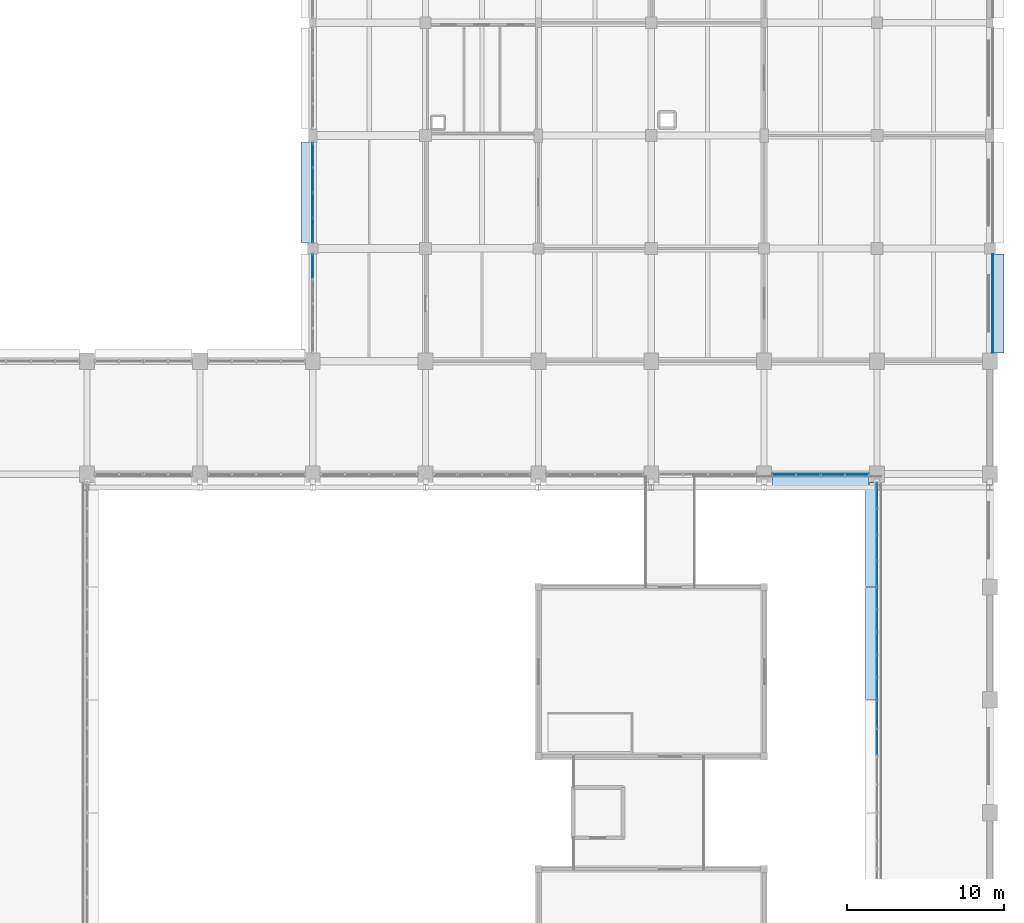
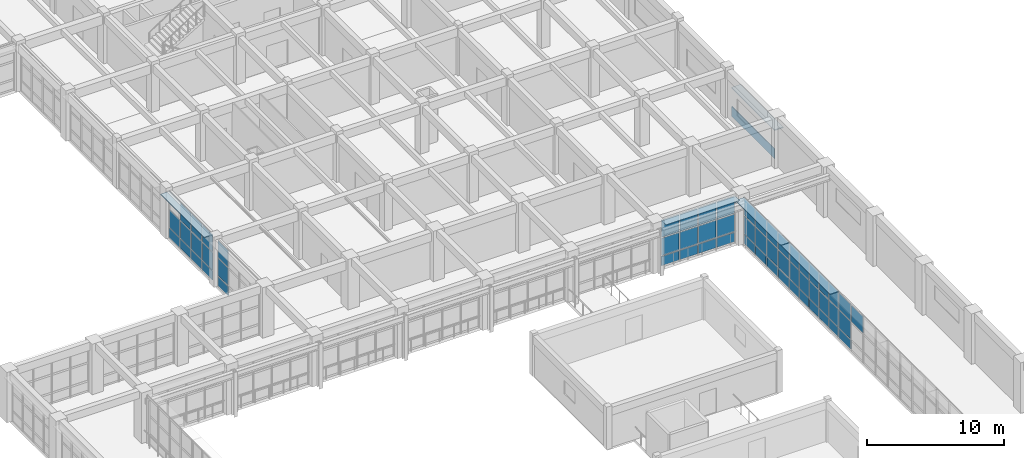
# One storey, part 143 of 171: 63 plates, 6 elements without a shape of their own.
"""IFC4 building model written with IfcOpenShell, lengths in metres."""

from ifc_helpers import new_model, si_unit, direction, frame, origin, origin_2d, place, context, subcontext, project, spatial, rectangle, extrude, material, layer, layer_set, type_object, element, aggregate, save


model = new_model("IFC4")

# Units and contexts
model_context = context("Model", 3, precision=1e-05, world=origin(), true_north=direction((0.0, 1.0)))
body_context = subcontext(model_context, "Body", "Model", "MODEL_VIEW")
ifc_project = project(units=[si_unit("LENGTHUNIT", "METRE"), si_unit("AREAUNIT", "SQUARE_METRE"), si_unit("VOLUMEUNIT", "CUBIC_METRE"), si_unit("PLANEANGLEUNIT", "RADIAN"), si_unit("MASSUNIT", "GRAM", prefix="KILO")], contexts=[model_context])

# Site, building, storey
site_placement = place(None, origin())
site = spatial("IfcSite", under=ifc_project, at=site_placement, CompositionType="ELEMENT")
building_placement = place(site_placement, origin())
building = spatial("IfcBuilding", under=site, at=building_placement, Name="Thalmaran Polytechnic", CompositionType="ELEMENT")
storey_placement = place(building_placement, frame((0.0, 0.0, 5.39990234375)))
storey = spatial("IfcBuildingStorey", under=building, at=storey_placement, Name="L01", CompositionType="ELEMENT", Elevation=5.39990234375)

# Plates
ifc_material_1 = material(Name="Anodised aluminium spandrel band", Category="aluminium")
ifc_layer_1 = layer(ifc_material_1, 0.054931640625, Name="Anodised aluminium spandrel band")
ifc_layer_set_1 = layer_set([ifc_layer_1], Name="Anodised aluminium spandrel band")
plate_type_1 = type_object("IfcPlateType", Name="PT-BD01", PredefinedType="SHEET", material=ifc_layer_set_1)
plate_1_placement = place(storey_placement, frame((172.97998046875, 61.28759765625, 0.020263671875), z_axis=(0.0, 0.0, 1.0), x_axis=(0.0, -1.0, 0.0)))
element("IfcPlate", 1, at=plate_1_placement, inside=storey, type_object=plate_type_1, Name="Streamline Horizontal Spandrel Band L01-060", PredefinedType="SHEET", context=body_context, shape_type="SweptSolid", body=[
    extrude(rectangle(XDim=6.284912109375, YDim=0.054931640625, at=origin_2d()), origin(), (0.0, 0.0, 1.0), 0.8798828125),
])
ifc_material_2 = material(Name="Anodised aluminium sun-hood eyebrow", Category="aluminium")
ifc_layer_2 = layer(ifc_material_2, 0.0849609375, Name="Anodised aluminium sun-hood eyebrow")
ifc_layer_set_2 = layer_set([ifc_layer_2], Name="Anodised aluminium sun-hood eyebrow")
plate_type_2 = type_object("IfcPlateType", Name="PT-EB01", PredefinedType="SHEET", material=ifc_layer_set_2)
plate_2_placement = place(storey_placement, frame((173.324951171875, 61.28759765625, 2.517578125), z_axis=(0.0, 0.0, 1.0), x_axis=(0.0, -1.0, 0.0)))
element("IfcPlate", 2, at=plate_2_placement, inside=storey, type_object=plate_type_2, Name="Streamline Sun-Hood Eyebrow L01-060", PredefinedType="SHEET", context=body_context, shape_type="SweptSolid", body=[
    extrude(rectangle(XDim=6.284912109375, YDim=0.760009765625, at=origin_2d()), origin(), (0.0, 0.0, 1.0), 0.0849609375),
])
plate_3_placement = place(storey_placement, frame((165.239990234375, 39.60009765625, 4.107666015625), z_axis=(0.0, 0.0, 1.0), x_axis=(0.0, 1.0, 0.0)))
element("IfcPlate", 3, at=plate_3_placement, inside=storey, type_object=plate_type_2, Name="Streamline Sun-Hood Eyebrow L01-CW122", PredefinedType="SHEET", context=body_context, shape_type="SweptSolid", body=[
    extrude(rectangle(XDim=7.159912109375, YDim=0.760009765625, at=origin_2d()), origin(), (0.0, 0.0, 1.0), 0.0849609375),
])
plate_4_placement = place(storey_placement, frame((165.239990234375, 46.53759765625, 4.107666015625), z_axis=(0.0, 0.0, 1.0), x_axis=(0.0, 1.0, 0.0)))
element("IfcPlate", 4, at=plate_4_placement, inside=storey, type_object=plate_type_2, Name="Streamline Sun-Hood Eyebrow L01-CW123", PredefinedType="SHEET", context=body_context, shape_type="SweptSolid", body=[
    extrude(rectangle(XDim=6.635009765625, YDim=0.760009765625, at=origin_2d()), origin(), (0.0, 0.0, 1.0), 0.0849609375),
])
plate_5_placement = place(storey_placement, frame((162.0, 50.0400390625, 4.107666015625), z_axis=(0.0, 0.0, 1.0), x_axis=(-1.0, 0.0, 0.0)))
element("IfcPlate", 5, at=plate_5_placement, inside=storey, type_object=plate_type_2, Name="Streamline Sun-Hood Eyebrow L01-CW124", PredefinedType="SHEET", context=body_context, shape_type="SweptSolid", body=[
    extrude(rectangle(XDim=6.2099609375, YDim=0.760009765625, at=origin_2d()), origin(), (0.0, 0.0, 1.0), 0.0849609375),
])
plate_6_placement = place(storey_placement, frame((129.239990234375, 68.362548828125, 4.107666015625), z_axis=(0.0, 0.0, 1.0), x_axis=(0.0, 1.0, 0.0)))
element("IfcPlate", 6, at=plate_6_placement, inside=storey, type_object=plate_type_2, Name="Streamline Sun-Hood Eyebrow L01-CW181", PredefinedType="SHEET", context=body_context, shape_type="SweptSolid", body=[
    extrude(rectangle(XDim=6.385009765625, YDim=0.760009765625, at=origin_2d()), origin(), (0.0, 0.0, 1.0), 0.0849609375),
])

# Curtain wall, plates
ifc_material_3 = material(Name="Aluminium 6063-T6", Category="aluminium")
curtain_wall_type = type_object("IfcCurtainWallType", Name="CW-UC02", PredefinedType="USERDEFINED", material=ifc_material_3)
curtain_wall_1_placement = place(storey_placement, origin())
curtain_wall_1 = element("IfcCurtainWall", 7, at=curtain_wall_1_placement, inside=storey, type_object=curtain_wall_type, Name="Curtain Wall CW-L01-180", ObjectType="UNITISED CURTAIN WALL", PredefinedType="USERDEFINED")
ifc_material_4 = material(Name="Solar-control double low-E glass", Category="glass")
ifc_layer_3 = layer(ifc_material_4, 0.035888671875, Name="Solar-control double low-E glass")
ifc_layer_set_3 = layer_set([ifc_layer_3], Name="Solar-control double low-E glass")
plate_type_3 = type_object("IfcPlateType", Name="PT-GL01", PredefinedType="CURTAIN_PANEL", material=ifc_layer_set_3)
plate_7_placement = place(storey_placement, frame((129.60009765625, 63.659423828125, 1.000244140625), z_axis=(0.0, 0.0, 1.0), x_axis=(0.0, 1.0, 0.0)))
plate_7 = element("IfcPlate", 8, at=plate_7_placement, type_object=plate_type_3, Name="CW-L01-180 Vision Panel 4-2", PredefinedType="CURTAIN_PANEL", context=body_context, shape_type="SweptSolid", body=[
    extrude(rectangle(XDim=1.481201171875, YDim=0.035888671875, at=origin_2d()), origin(), (0.0, 0.0, 1.0), 1.544921875),
])
plate_8_placement = place(storey_placement, frame((129.60009765625, 63.659423828125, 2.625), z_axis=(0.0, 0.0, 1.0), x_axis=(0.0, 1.0, 0.0)))
plate_8 = element("IfcPlate", 9, at=plate_8_placement, type_object=plate_type_3, Name="CW-L01-180 Vision Panel 4-3", PredefinedType="CURTAIN_PANEL", context=body_context, shape_type="SweptSolid", body=[
    extrude(rectangle(XDim=1.481201171875, YDim=0.035888671875, at=origin_2d()), origin(), (0.0, 0.0, 1.0), 1.485107421875),
])

curtain_wall_2_placement = place(storey_placement, origin())
curtain_wall_2 = element("IfcCurtainWall", 10, at=curtain_wall_2_placement, inside=storey, type_object=curtain_wall_type, Name="Curtain Wall CW-L01-121", ObjectType="UNITISED CURTAIN WALL", PredefinedType="USERDEFINED")
ifc_layer_4 = layer(ifc_material_4, 0.035888671875, Name="Solar-control double low-E glass")
ifc_layer_set_4 = layer_set([ifc_layer_4], Name="Solar-control double low-E glass")
plate_type_4 = type_object("IfcPlateType", Name="PT-GL02", PredefinedType="CURTAIN_PANEL", material=ifc_layer_set_4)
plate_9_placement = place(storey_placement, frame((165.60009765625, 33.300048828125, 2.625), z_axis=(0.0, 0.0, 1.0), x_axis=(0.0, 1.0, 0.0)))
plate_9 = element("IfcPlate", 11, at=plate_9_placement, type_object=plate_type_4, Name="CW-L01-121 Vision Panel 3-3", PredefinedType="CURTAIN_PANEL", context=body_context, shape_type="SweptSolid", body=[
    extrude(rectangle(XDim=1.699951171875, YDim=0.035888671875, at=origin_2d()), origin(), (0.0, 0.0, 1.0), 1.485107421875),
])
plate_10_placement = place(storey_placement, frame((165.60009765625, 35.10009765625, 1.000244140625), z_axis=(0.0, 0.0, 1.0), x_axis=(0.0, 1.0, 0.0)))
plate_10 = element("IfcPlate", 12, at=plate_10_placement, type_object=plate_type_4, Name="CW-L01-121 Vision Panel 4-2", PredefinedType="CURTAIN_PANEL", context=body_context, shape_type="SweptSolid", body=[
    extrude(rectangle(XDim=1.699951171875, YDim=0.035888671875, at=origin_2d()), origin(), (0.0, 0.0, 1.0), 1.544921875),
])
plate_11_placement = place(storey_placement, frame((165.60009765625, 35.10009765625, 2.625), z_axis=(0.0, 0.0, 1.0), x_axis=(0.0, 1.0, 0.0)))
plate_11 = element("IfcPlate", 13, at=plate_11_placement, type_object=plate_type_4, Name="CW-L01-121 Vision Panel 4-3", PredefinedType="CURTAIN_PANEL", context=body_context, shape_type="SweptSolid", body=[
    extrude(rectangle(XDim=1.699951171875, YDim=0.035888671875, at=origin_2d()), origin(), (0.0, 0.0, 1.0), 1.485107421875),
])

curtain_wall_3_placement = place(storey_placement, origin())
curtain_wall_3 = element("IfcCurtainWall", 14, at=curtain_wall_3_placement, inside=storey, type_object=curtain_wall_type, Name="Curtain Wall CW-L01-181", ObjectType="UNITISED CURTAIN WALL", PredefinedType="USERDEFINED")
plate_12_placement = place(storey_placement, frame((129.60009765625, 65.953125, 1.000244140625), z_axis=(0.0, 0.0, 1.0), x_axis=(0.0, 1.0, 0.0)))
plate_12 = element("IfcPlate", 15, at=plate_12_placement, type_object=plate_type_4, Name="CW-L01-181 Vision Panel 1-2", PredefinedType="CURTAIN_PANEL", context=body_context, shape_type="SweptSolid", body=[
    extrude(rectangle(XDim=1.506103515625, YDim=0.035888671875, at=origin_2d()), origin(), (0.0, 0.0, 1.0), 1.544921875),
])
plate_13_placement = place(storey_placement, frame((129.60009765625, 65.953125, 2.625), z_axis=(0.0, 0.0, 1.0), x_axis=(0.0, 1.0, 0.0)))
plate_13 = element("IfcPlate", 16, at=plate_13_placement, type_object=plate_type_4, Name="CW-L01-181 Vision Panel 1-3", PredefinedType="CURTAIN_PANEL", context=body_context, shape_type="SweptSolid", body=[
    extrude(rectangle(XDim=1.506103515625, YDim=0.035888671875, at=origin_2d()), origin(), (0.0, 0.0, 1.0), 1.485107421875),
])
plate_14_placement = place(storey_placement, frame((129.60009765625, 67.559326171875, 1.000244140625), z_axis=(0.0, 0.0, 1.0), x_axis=(0.0, 1.0, 0.0)))
plate_14 = element("IfcPlate", 17, at=plate_14_placement, type_object=plate_type_4, Name="CW-L01-181 Vision Panel 2-2", PredefinedType="CURTAIN_PANEL", context=body_context, shape_type="SweptSolid", body=[
    extrude(rectangle(XDim=1.506103515625, YDim=0.035888671875, at=origin_2d()), origin(), (0.0, 0.0, 1.0), 1.544921875),
])
plate_15_placement = place(storey_placement, frame((129.60009765625, 67.559326171875, 2.625), z_axis=(0.0, 0.0, 1.0), x_axis=(0.0, 1.0, 0.0)))
plate_15 = element("IfcPlate", 18, at=plate_15_placement, type_object=plate_type_4, Name="CW-L01-181 Vision Panel 2-3", PredefinedType="CURTAIN_PANEL", context=body_context, shape_type="SweptSolid", body=[
    extrude(rectangle(XDim=1.506103515625, YDim=0.035888671875, at=origin_2d()), origin(), (0.0, 0.0, 1.0), 1.485107421875),
])
plate_16_placement = place(storey_placement, frame((129.60009765625, 69.16552734375, 1.000244140625), z_axis=(0.0, 0.0, 1.0), x_axis=(0.0, 1.0, 0.0)))
plate_16 = element("IfcPlate", 19, at=plate_16_placement, type_object=plate_type_4, Name="CW-L01-181 Vision Panel 3-2", PredefinedType="CURTAIN_PANEL", context=body_context, shape_type="SweptSolid", body=[
    extrude(rectangle(XDim=1.506103515625, YDim=0.035888671875, at=origin_2d()), origin(), (0.0, 0.0, 1.0), 1.544921875),
])
plate_17_placement = place(storey_placement, frame((129.60009765625, 69.16552734375, 2.625), z_axis=(0.0, 0.0, 1.0), x_axis=(0.0, 1.0, 0.0)))
plate_17 = element("IfcPlate", 20, at=plate_17_placement, type_object=plate_type_4, Name="CW-L01-181 Vision Panel 3-3", PredefinedType="CURTAIN_PANEL", context=body_context, shape_type="SweptSolid", body=[
    extrude(rectangle(XDim=1.506103515625, YDim=0.035888671875, at=origin_2d()), origin(), (0.0, 0.0, 1.0), 1.485107421875),
])
plate_18_placement = place(storey_placement, frame((129.60009765625, 70.77197265625, 1.000244140625), z_axis=(0.0, 0.0, 1.0), x_axis=(0.0, 1.0, 0.0)))
plate_18 = element("IfcPlate", 21, at=plate_18_placement, type_object=plate_type_4, Name="CW-L01-181 Vision Panel 4-2", PredefinedType="CURTAIN_PANEL", context=body_context, shape_type="SweptSolid", body=[
    extrude(rectangle(XDim=1.506103515625, YDim=0.035888671875, at=origin_2d()), origin(), (0.0, 0.0, 1.0), 1.544921875),
])

curtain_wall_4_placement = place(storey_placement, origin())
curtain_wall_4 = element("IfcCurtainWall", 22, at=curtain_wall_4_placement, inside=storey, type_object=curtain_wall_type, Name="Curtain Wall CW-L01-122", ObjectType="UNITISED CURTAIN WALL", PredefinedType="USERDEFINED")
ifc_layer_5 = layer(ifc_material_4, 0.035888671875, Name="Solar-control double low-E glass")
ifc_layer_set_5 = layer_set([ifc_layer_5], Name="Solar-control double low-E glass")
plate_type_5 = type_object("IfcPlateType", Name="PT-GL03", PredefinedType="CURTAIN_PANEL", material=ifc_layer_set_5)
plate_19_placement = place(storey_placement, frame((165.60009765625, 36.719970703125, 1.000244140625), z_axis=(0.0, 0.0, 1.0), x_axis=(0.0, 1.0, 0.0)))
plate_19 = element("IfcPlate", 23, at=plate_19_placement, type_object=plate_type_5, Name="CW-L01-122 Vision Panel 1-2", PredefinedType="CURTAIN_PANEL", context=body_context, shape_type="SweptSolid", body=[
    extrude(rectangle(XDim=1.340087890625, YDim=0.035888671875, at=origin_2d()), origin(), (0.0, 0.0, 1.0), 1.544921875),
])
plate_20_placement = place(storey_placement, frame((165.60009765625, 36.719970703125, 2.625), z_axis=(0.0, 0.0, 1.0), x_axis=(0.0, 1.0, 0.0)))
plate_20 = element("IfcPlate", 24, at=plate_20_placement, type_object=plate_type_5, Name="CW-L01-122 Vision Panel 1-3", PredefinedType="CURTAIN_PANEL", context=body_context, shape_type="SweptSolid", body=[
    extrude(rectangle(XDim=1.340087890625, YDim=0.035888671875, at=origin_2d()), origin(), (0.0, 0.0, 1.0), 1.485107421875),
])
plate_21_placement = place(storey_placement, frame((165.60009765625, 38.159912109375, 1.000244140625), z_axis=(0.0, 0.0, 1.0), x_axis=(0.0, 1.0, 0.0)))
plate_21 = element("IfcPlate", 25, at=plate_21_placement, type_object=plate_type_5, Name="CW-L01-122 Vision Panel 2-2", PredefinedType="CURTAIN_PANEL", context=body_context, shape_type="SweptSolid", body=[
    extrude(rectangle(XDim=1.340087890625, YDim=0.035888671875, at=origin_2d()), origin(), (0.0, 0.0, 1.0), 1.544921875),
])
plate_22_placement = place(storey_placement, frame((165.60009765625, 38.159912109375, 2.625), z_axis=(0.0, 0.0, 1.0), x_axis=(0.0, 1.0, 0.0)))
plate_22 = element("IfcPlate", 26, at=plate_22_placement, type_object=plate_type_5, Name="CW-L01-122 Vision Panel 2-3", PredefinedType="CURTAIN_PANEL", context=body_context, shape_type="SweptSolid", body=[
    extrude(rectangle(XDim=1.340087890625, YDim=0.035888671875, at=origin_2d()), origin(), (0.0, 0.0, 1.0), 1.485107421875),
])
plate_23_placement = place(storey_placement, frame((165.60009765625, 39.60009765625, 1.000244140625), z_axis=(0.0, 0.0, 1.0), x_axis=(0.0, 1.0, 0.0)))
plate_23 = element("IfcPlate", 27, at=plate_23_placement, type_object=plate_type_5, Name="CW-L01-122 Vision Panel 3-2", PredefinedType="CURTAIN_PANEL", context=body_context, shape_type="SweptSolid", body=[
    extrude(rectangle(XDim=1.340087890625, YDim=0.035888671875, at=origin_2d()), origin(), (0.0, 0.0, 1.0), 1.544921875),
])
plate_24_placement = place(storey_placement, frame((165.60009765625, 39.60009765625, 2.625), z_axis=(0.0, 0.0, 1.0), x_axis=(0.0, 1.0, 0.0)))
plate_24 = element("IfcPlate", 28, at=plate_24_placement, type_object=plate_type_5, Name="CW-L01-122 Vision Panel 3-3", PredefinedType="CURTAIN_PANEL", context=body_context, shape_type="SweptSolid", body=[
    extrude(rectangle(XDim=1.340087890625, YDim=0.035888671875, at=origin_2d()), origin(), (0.0, 0.0, 1.0), 1.485107421875),
])
plate_25_placement = place(storey_placement, frame((165.60009765625, 41.0400390625, 1.000244140625), z_axis=(0.0, 0.0, 1.0), x_axis=(0.0, 1.0, 0.0)))
plate_25 = element("IfcPlate", 29, at=plate_25_placement, type_object=plate_type_5, Name="CW-L01-122 Vision Panel 4-2", PredefinedType="CURTAIN_PANEL", context=body_context, shape_type="SweptSolid", body=[
    extrude(rectangle(XDim=1.340087890625, YDim=0.035888671875, at=origin_2d()), origin(), (0.0, 0.0, 1.0), 1.544921875),
])
plate_26_placement = place(storey_placement, frame((165.60009765625, 41.0400390625, 2.625), z_axis=(0.0, 0.0, 1.0), x_axis=(0.0, 1.0, 0.0)))
plate_26 = element("IfcPlate", 30, at=plate_26_placement, type_object=plate_type_5, Name="CW-L01-122 Vision Panel 4-3", PredefinedType="CURTAIN_PANEL", context=body_context, shape_type="SweptSolid", body=[
    extrude(rectangle(XDim=1.340087890625, YDim=0.035888671875, at=origin_2d()), origin(), (0.0, 0.0, 1.0), 1.485107421875),
])
plate_27_placement = place(storey_placement, frame((165.60009765625, 42.47998046875, 1.000244140625), z_axis=(0.0, 0.0, 1.0), x_axis=(0.0, 1.0, 0.0)))
plate_27 = element("IfcPlate", 31, at=plate_27_placement, type_object=plate_type_5, Name="CW-L01-122 Vision Panel 5-2", PredefinedType="CURTAIN_PANEL", context=body_context, shape_type="SweptSolid", body=[
    extrude(rectangle(XDim=1.340087890625, YDim=0.035888671875, at=origin_2d()), origin(), (0.0, 0.0, 1.0), 1.544921875),
])
plate_28_placement = place(storey_placement, frame((165.60009765625, 42.47998046875, 2.625), z_axis=(0.0, 0.0, 1.0), x_axis=(0.0, 1.0, 0.0)))
plate_28 = element("IfcPlate", 32, at=plate_28_placement, type_object=plate_type_5, Name="CW-L01-122 Vision Panel 5-3", PredefinedType="CURTAIN_PANEL", context=body_context, shape_type="SweptSolid", body=[
    extrude(rectangle(XDim=1.340087890625, YDim=0.035888671875, at=origin_2d()), origin(), (0.0, 0.0, 1.0), 1.485107421875),
])

curtain_wall_5_placement = place(storey_placement, origin())
curtain_wall_5 = element("IfcCurtainWall", 33, at=curtain_wall_5_placement, inside=storey, type_object=curtain_wall_type, Name="Curtain Wall CW-L01-123", ObjectType="UNITISED CURTAIN WALL", PredefinedType="USERDEFINED")
ifc_layer_6 = layer(ifc_material_4, 0.035888671875, Name="Solar-control double low-E glass")
ifc_layer_set_6 = layer_set([ifc_layer_6], Name="Solar-control double low-E glass")
plate_type_6 = type_object("IfcPlateType", Name="PT-GL04", PredefinedType="CURTAIN_PANEL", material=ifc_layer_set_6)
plate_29_placement = place(storey_placement, frame((165.60009765625, 44.034423828125, 1.000244140625), z_axis=(0.0, 0.0, 1.0), x_axis=(0.0, 1.0, 0.0)))
plate_29 = element("IfcPlate", 34, at=plate_29_placement, type_object=plate_type_6, Name="CW-L01-123 Vision Panel 1-2", PredefinedType="CURTAIN_PANEL", context=body_context, shape_type="SweptSolid", body=[
    extrude(rectangle(XDim=1.568603515625, YDim=0.035888671875, at=origin_2d()), origin(), (0.0, 0.0, 1.0), 1.544921875),
])
plate_30_placement = place(storey_placement, frame((165.60009765625, 44.034423828125, 2.625), z_axis=(0.0, 0.0, 1.0), x_axis=(0.0, 1.0, 0.0)))
plate_30 = element("IfcPlate", 35, at=plate_30_placement, type_object=plate_type_6, Name="CW-L01-123 Vision Panel 1-3", PredefinedType="CURTAIN_PANEL", context=body_context, shape_type="SweptSolid", body=[
    extrude(rectangle(XDim=1.568603515625, YDim=0.035888671875, at=origin_2d()), origin(), (0.0, 0.0, 1.0), 1.485107421875),
])
plate_31_placement = place(storey_placement, frame((165.60009765625, 45.703125, 1.000244140625), z_axis=(0.0, 0.0, 1.0), x_axis=(0.0, 1.0, 0.0)))
plate_31 = element("IfcPlate", 36, at=plate_31_placement, type_object=plate_type_6, Name="CW-L01-123 Vision Panel 2-2", PredefinedType="CURTAIN_PANEL", context=body_context, shape_type="SweptSolid", body=[
    extrude(rectangle(XDim=1.568603515625, YDim=0.035888671875, at=origin_2d()), origin(), (0.0, 0.0, 1.0), 1.544921875),
])
plate_32_placement = place(storey_placement, frame((165.60009765625, 45.703125, 2.625), z_axis=(0.0, 0.0, 1.0), x_axis=(0.0, 1.0, 0.0)))
plate_32 = element("IfcPlate", 37, at=plate_32_placement, type_object=plate_type_6, Name="CW-L01-123 Vision Panel 2-3", PredefinedType="CURTAIN_PANEL", context=body_context, shape_type="SweptSolid", body=[
    extrude(rectangle(XDim=1.568603515625, YDim=0.035888671875, at=origin_2d()), origin(), (0.0, 0.0, 1.0), 1.485107421875),
])
plate_33_placement = place(storey_placement, frame((165.60009765625, 47.371826171875, 1.000244140625), z_axis=(0.0, 0.0, 1.0), x_axis=(0.0, 1.0, 0.0)))
plate_33 = element("IfcPlate", 38, at=plate_33_placement, type_object=plate_type_6, Name="CW-L01-123 Vision Panel 3-2", PredefinedType="CURTAIN_PANEL", context=body_context, shape_type="SweptSolid", body=[
    extrude(rectangle(XDim=1.568603515625, YDim=0.035888671875, at=origin_2d()), origin(), (0.0, 0.0, 1.0), 1.544921875),
])
plate_34_placement = place(storey_placement, frame((165.60009765625, 47.371826171875, 2.625), z_axis=(0.0, 0.0, 1.0), x_axis=(0.0, 1.0, 0.0)))
plate_34 = element("IfcPlate", 39, at=plate_34_placement, type_object=plate_type_6, Name="CW-L01-123 Vision Panel 3-3", PredefinedType="CURTAIN_PANEL", context=body_context, shape_type="SweptSolid", body=[
    extrude(rectangle(XDim=1.568603515625, YDim=0.035888671875, at=origin_2d()), origin(), (0.0, 0.0, 1.0), 1.485107421875),
])
plate_35_placement = place(storey_placement, frame((165.60009765625, 49.04052734375, 1.000244140625), z_axis=(0.0, 0.0, 1.0), x_axis=(0.0, 1.0, 0.0)))
plate_35 = element("IfcPlate", 40, at=plate_35_placement, type_object=plate_type_6, Name="CW-L01-123 Vision Panel 4-2", PredefinedType="CURTAIN_PANEL", context=body_context, shape_type="SweptSolid", body=[
    extrude(rectangle(XDim=1.568603515625, YDim=0.035888671875, at=origin_2d()), origin(), (0.0, 0.0, 1.0), 1.544921875),
])
plate_36_placement = place(storey_placement, frame((165.60009765625, 49.04052734375, 2.625), z_axis=(0.0, 0.0, 1.0), x_axis=(0.0, 1.0, 0.0)))
plate_36 = element("IfcPlate", 41, at=plate_36_placement, type_object=plate_type_6, Name="CW-L01-123 Vision Panel 4-3", PredefinedType="CURTAIN_PANEL", context=body_context, shape_type="SweptSolid", body=[
    extrude(rectangle(XDim=1.568603515625, YDim=0.035888671875, at=origin_2d()), origin(), (0.0, 0.0, 1.0), 1.485107421875),
])

curtain_wall_6_placement = place(storey_placement, origin())
curtain_wall_6 = element("IfcCurtainWall", 42, at=curtain_wall_6_placement, inside=storey, type_object=curtain_wall_type, Name="Curtain Wall CW-L01-124", ObjectType="UNITISED CURTAIN WALL", PredefinedType="USERDEFINED")
ifc_layer_7 = layer(ifc_material_4, 0.035888671875, Name="Solar-control double low-E glass")
ifc_layer_set_7 = layer_set([ifc_layer_7], Name="Solar-control double low-E glass")
plate_type_7 = type_object("IfcPlateType", Name="PT-GL05", PredefinedType="CURTAIN_PANEL", material=ifc_layer_set_7)
plate_37_placement = place(storey_placement, frame((164.34375, 50.39990234375, 1.000244140625), z_axis=(0.0, 0.0, 1.0), x_axis=(-1.0, 0.0, 0.0)))
plate_37 = element("IfcPlate", 43, at=plate_37_placement, type_object=plate_type_7, Name="CW-L01-124 Vision Panel 1-2", PredefinedType="CURTAIN_PANEL", context=body_context, shape_type="SweptSolid", body=[
    extrude(rectangle(XDim=1.46240234375, YDim=0.035888671875, at=origin_2d()), origin(), (0.0, 0.0, 1.0), 1.544921875),
])
plate_38_placement = place(storey_placement, frame((164.34375, 50.39990234375, 2.625), z_axis=(0.0, 0.0, 1.0), x_axis=(-1.0, 0.0, 0.0)))
plate_38 = element("IfcPlate", 44, at=plate_38_placement, type_object=plate_type_7, Name="CW-L01-124 Vision Panel 1-3", PredefinedType="CURTAIN_PANEL", context=body_context, shape_type="SweptSolid", body=[
    extrude(rectangle(XDim=1.46240234375, YDim=0.035888671875, at=origin_2d()), origin(), (0.0, 0.0, 1.0), 1.485107421875),
])
plate_39_placement = place(storey_placement, frame((162.78125, 50.39990234375, 1.000244140625), z_axis=(0.0, 0.0, 1.0), x_axis=(-1.0, 0.0, 0.0)))
plate_39 = element("IfcPlate", 45, at=plate_39_placement, type_object=plate_type_7, Name="CW-L01-124 Vision Panel 2-2", PredefinedType="CURTAIN_PANEL", context=body_context, shape_type="SweptSolid", body=[
    extrude(rectangle(XDim=1.46240234375, YDim=0.035888671875, at=origin_2d()), origin(), (0.0, 0.0, 1.0), 1.544921875),
])
plate_40_placement = place(storey_placement, frame((162.78125, 50.39990234375, 2.625), z_axis=(0.0, 0.0, 1.0), x_axis=(-1.0, 0.0, 0.0)))
plate_40 = element("IfcPlate", 46, at=plate_40_placement, type_object=plate_type_7, Name="CW-L01-124 Vision Panel 2-3", PredefinedType="CURTAIN_PANEL", context=body_context, shape_type="SweptSolid", body=[
    extrude(rectangle(XDim=1.46240234375, YDim=0.035888671875, at=origin_2d()), origin(), (0.0, 0.0, 1.0), 1.485107421875),
])
plate_41_placement = place(storey_placement, frame((161.21875, 50.39990234375, 1.000244140625), z_axis=(0.0, 0.0, 1.0), x_axis=(-1.0, 0.0, 0.0)))
plate_41 = element("IfcPlate", 47, at=plate_41_placement, type_object=plate_type_7, Name="CW-L01-124 Vision Panel 3-2", PredefinedType="CURTAIN_PANEL", context=body_context, shape_type="SweptSolid", body=[
    extrude(rectangle(XDim=1.46240234375, YDim=0.035888671875, at=origin_2d()), origin(), (0.0, 0.0, 1.0), 1.544921875),
])
plate_42_placement = place(storey_placement, frame((161.21875, 50.39990234375, 2.625), z_axis=(0.0, 0.0, 1.0), x_axis=(-1.0, 0.0, 0.0)))
plate_42 = element("IfcPlate", 48, at=plate_42_placement, type_object=plate_type_7, Name="CW-L01-124 Vision Panel 3-3", PredefinedType="CURTAIN_PANEL", context=body_context, shape_type="SweptSolid", body=[
    extrude(rectangle(XDim=1.46240234375, YDim=0.035888671875, at=origin_2d()), origin(), (0.0, 0.0, 1.0), 1.485107421875),
])
plate_43_placement = place(storey_placement, frame((159.65625, 50.39990234375, 1.000244140625), z_axis=(0.0, 0.0, 1.0), x_axis=(-1.0, 0.0, 0.0)))
plate_43 = element("IfcPlate", 49, at=plate_43_placement, type_object=plate_type_7, Name="CW-L01-124 Vision Panel 4-2", PredefinedType="CURTAIN_PANEL", context=body_context, shape_type="SweptSolid", body=[
    extrude(rectangle(XDim=1.46240234375, YDim=0.035888671875, at=origin_2d()), origin(), (0.0, 0.0, 1.0), 1.544921875),
])
plate_44_placement = place(storey_placement, frame((159.65625, 50.39990234375, 2.625), z_axis=(0.0, 0.0, 1.0), x_axis=(-1.0, 0.0, 0.0)))
plate_44 = element("IfcPlate", 50, at=plate_44_placement, type_object=plate_type_7, Name="CW-L01-124 Vision Panel 4-3", PredefinedType="CURTAIN_PANEL", context=body_context, shape_type="SweptSolid", body=[
    extrude(rectangle(XDim=1.46240234375, YDim=0.035888671875, at=origin_2d()), origin(), (0.0, 0.0, 1.0), 1.485107421875),
])

# Plate
ifc_material_5 = material(Name="Insulated anodised aluminium spandrel", Category="aluminium")
ifc_layer_8 = layer(ifc_material_5, 0.06005859375, Name="Insulated anodised aluminium spandrel")
ifc_layer_set_8 = layer_set([ifc_layer_8], Name="Insulated anodised aluminium spandrel")
plate_type_8 = type_object("IfcPlateType", Name="PT-SP01", PredefinedType="CURTAIN_PANEL", material=ifc_layer_set_8)
plate_45_placement = place(storey_placement, frame((165.60009765625, 44.034423828125, 0.10009765625), z_axis=(0.0, 0.0, 1.0), x_axis=(0.0, 1.0, 0.0)))
plate_45 = element("IfcPlate", 51, at=plate_45_placement, type_object=plate_type_8, Name="CW-L01-123 Spandrel Panel 1-1", PredefinedType="CURTAIN_PANEL", context=body_context, shape_type="SweptSolid", body=[
    extrude(rectangle(XDim=1.568603515625, YDim=0.06005859375, at=origin_2d()), origin(), (0.0, 0.0, 1.0), 0.820068359375),
])

plate_46_placement = place(storey_placement, frame((165.60009765625, 45.703125, 0.10009765625), z_axis=(0.0, 0.0, 1.0), x_axis=(0.0, 1.0, 0.0)))
plate_46 = element("IfcPlate", 52, at=plate_46_placement, type_object=plate_type_8, Name="CW-L01-123 Spandrel Panel 2-1", PredefinedType="CURTAIN_PANEL", context=body_context, shape_type="SweptSolid", body=[
    extrude(rectangle(XDim=1.568603515625, YDim=0.06005859375, at=origin_2d()), origin(), (0.0, 0.0, 1.0), 0.820068359375),
])

plate_47_placement = place(storey_placement, frame((165.60009765625, 47.371826171875, 0.10009765625), z_axis=(0.0, 0.0, 1.0), x_axis=(0.0, 1.0, 0.0)))
plate_47 = element("IfcPlate", 53, at=plate_47_placement, type_object=plate_type_8, Name="CW-L01-123 Spandrel Panel 3-1", PredefinedType="CURTAIN_PANEL", context=body_context, shape_type="SweptSolid", body=[
    extrude(rectangle(XDim=1.568603515625, YDim=0.06005859375, at=origin_2d()), origin(), (0.0, 0.0, 1.0), 0.820068359375),
])

plate_48_placement = place(storey_placement, frame((165.60009765625, 49.04052734375, 0.10009765625), z_axis=(0.0, 0.0, 1.0), x_axis=(0.0, 1.0, 0.0)))
plate_48 = element("IfcPlate", 54, at=plate_48_placement, type_object=plate_type_8, Name="CW-L01-123 Spandrel Panel 4-1", PredefinedType="CURTAIN_PANEL", context=body_context, shape_type="SweptSolid", body=[
    extrude(rectangle(XDim=1.568603515625, YDim=0.06005859375, at=origin_2d()), origin(), (0.0, 0.0, 1.0), 0.820068359375),
])

aggregate(curtain_wall_5, [plate_45, plate_29, plate_30, plate_46, plate_31, plate_32, plate_47, plate_33, plate_34, plate_48, plate_35, plate_36])

plate_49_placement = place(storey_placement, frame((129.60009765625, 63.659423828125, 0.10009765625), z_axis=(0.0, 0.0, 1.0), x_axis=(0.0, 1.0, 0.0)))
plate_49 = element("IfcPlate", 55, at=plate_49_placement, type_object=plate_type_8, Name="CW-L01-180 Spandrel Panel 4-1", PredefinedType="CURTAIN_PANEL", context=body_context, shape_type="SweptSolid", body=[
    extrude(rectangle(XDim=1.481201171875, YDim=0.06005859375, at=origin_2d()), origin(), (0.0, 0.0, 1.0), 0.820068359375),
])

aggregate(curtain_wall_1, [plate_49, plate_7, plate_8])

ifc_layer_9 = layer(ifc_material_5, 0.06005859375, Name="Insulated anodised aluminium spandrel")
ifc_layer_set_9 = layer_set([ifc_layer_9], Name="Insulated anodised aluminium spandrel")
plate_type_9 = type_object("IfcPlateType", Name="PT-SP02", PredefinedType="CURTAIN_PANEL", material=ifc_layer_set_9)
plate_50_placement = place(storey_placement, frame((165.60009765625, 35.10009765625, 0.10009765625), z_axis=(0.0, 0.0, 1.0), x_axis=(0.0, 1.0, 0.0)))
plate_50 = element("IfcPlate", 56, at=plate_50_placement, type_object=plate_type_9, Name="CW-L01-121 Spandrel Panel 4-1", PredefinedType="CURTAIN_PANEL", context=body_context, shape_type="SweptSolid", body=[
    extrude(rectangle(XDim=1.699951171875, YDim=0.06005859375, at=origin_2d()), origin(), (0.0, 0.0, 1.0), 0.820068359375),
])

aggregate(curtain_wall_2, [plate_9, plate_50, plate_10, plate_11])

plate_51_placement = place(storey_placement, frame((164.34375, 50.39990234375, 0.10009765625), z_axis=(0.0, 0.0, 1.0), x_axis=(-1.0, 0.0, 0.0)))
plate_51 = element("IfcPlate", 57, at=plate_51_placement, type_object=plate_type_9, Name="CW-L01-124 Spandrel Panel 1-1", PredefinedType="CURTAIN_PANEL", context=body_context, shape_type="SweptSolid", body=[
    extrude(rectangle(XDim=1.46240234375, YDim=0.06005859375, at=origin_2d()), origin(), (0.0, 0.0, 1.0), 0.820068359375),
])

plate_52_placement = place(storey_placement, frame((162.78125, 50.39990234375, 0.10009765625), z_axis=(0.0, 0.0, 1.0), x_axis=(-1.0, 0.0, 0.0)))
plate_52 = element("IfcPlate", 58, at=plate_52_placement, type_object=plate_type_9, Name="CW-L01-124 Spandrel Panel 2-1", PredefinedType="CURTAIN_PANEL", context=body_context, shape_type="SweptSolid", body=[
    extrude(rectangle(XDim=1.46240234375, YDim=0.06005859375, at=origin_2d()), origin(), (0.0, 0.0, 1.0), 0.820068359375),
])

plate_53_placement = place(storey_placement, frame((161.21875, 50.39990234375, 0.10009765625), z_axis=(0.0, 0.0, 1.0), x_axis=(-1.0, 0.0, 0.0)))
plate_53 = element("IfcPlate", 59, at=plate_53_placement, type_object=plate_type_9, Name="CW-L01-124 Spandrel Panel 3-1", PredefinedType="CURTAIN_PANEL", context=body_context, shape_type="SweptSolid", body=[
    extrude(rectangle(XDim=1.46240234375, YDim=0.06005859375, at=origin_2d()), origin(), (0.0, 0.0, 1.0), 0.820068359375),
])

plate_54_placement = place(storey_placement, frame((159.65625, 50.39990234375, 0.10009765625), z_axis=(0.0, 0.0, 1.0), x_axis=(-1.0, 0.0, 0.0)))
plate_54 = element("IfcPlate", 60, at=plate_54_placement, type_object=plate_type_9, Name="CW-L01-124 Spandrel Panel 4-1", PredefinedType="CURTAIN_PANEL", context=body_context, shape_type="SweptSolid", body=[
    extrude(rectangle(XDim=1.46240234375, YDim=0.06005859375, at=origin_2d()), origin(), (0.0, 0.0, 1.0), 0.820068359375),
])

aggregate(curtain_wall_6, [plate_51, plate_37, plate_38, plate_52, plate_39, plate_40, plate_53, plate_41, plate_42, plate_54, plate_43, plate_44])

plate_55_placement = place(storey_placement, frame((129.60009765625, 65.953125, 0.10009765625), z_axis=(0.0, 0.0, 1.0), x_axis=(0.0, 1.0, 0.0)))
plate_55 = element("IfcPlate", 61, at=plate_55_placement, type_object=plate_type_9, Name="CW-L01-181 Spandrel Panel 1-1", PredefinedType="CURTAIN_PANEL", context=body_context, shape_type="SweptSolid", body=[
    extrude(rectangle(XDim=1.506103515625, YDim=0.06005859375, at=origin_2d()), origin(), (0.0, 0.0, 1.0), 0.820068359375),
])

plate_56_placement = place(storey_placement, frame((129.60009765625, 67.559326171875, 0.10009765625), z_axis=(0.0, 0.0, 1.0), x_axis=(0.0, 1.0, 0.0)))
plate_56 = element("IfcPlate", 62, at=plate_56_placement, type_object=plate_type_9, Name="CW-L01-181 Spandrel Panel 2-1", PredefinedType="CURTAIN_PANEL", context=body_context, shape_type="SweptSolid", body=[
    extrude(rectangle(XDim=1.506103515625, YDim=0.06005859375, at=origin_2d()), origin(), (0.0, 0.0, 1.0), 0.820068359375),
])

plate_57_placement = place(storey_placement, frame((129.60009765625, 69.16552734375, 0.10009765625), z_axis=(0.0, 0.0, 1.0), x_axis=(0.0, 1.0, 0.0)))
plate_57 = element("IfcPlate", 63, at=plate_57_placement, type_object=plate_type_9, Name="CW-L01-181 Spandrel Panel 3-1", PredefinedType="CURTAIN_PANEL", context=body_context, shape_type="SweptSolid", body=[
    extrude(rectangle(XDim=1.506103515625, YDim=0.06005859375, at=origin_2d()), origin(), (0.0, 0.0, 1.0), 0.820068359375),
])

plate_58_placement = place(storey_placement, frame((129.60009765625, 70.77197265625, 0.10009765625), z_axis=(0.0, 0.0, 1.0), x_axis=(0.0, 1.0, 0.0)))
plate_58 = element("IfcPlate", 64, at=plate_58_placement, type_object=plate_type_9, Name="CW-L01-181 Spandrel Panel 4-1", PredefinedType="CURTAIN_PANEL", context=body_context, shape_type="SweptSolid", body=[
    extrude(rectangle(XDim=1.506103515625, YDim=0.06005859375, at=origin_2d()), origin(), (0.0, 0.0, 1.0), 0.820068359375),
])

aggregate(curtain_wall_3, [plate_55, plate_12, plate_13, plate_56, plate_14, plate_15, plate_57, plate_16, plate_17, plate_58, plate_18])

ifc_layer_10 = layer(ifc_material_5, 0.06005859375, Name="Insulated anodised aluminium spandrel")
ifc_layer_set_10 = layer_set([ifc_layer_10], Name="Insulated anodised aluminium spandrel")
plate_type_10 = type_object("IfcPlateType", Name="PT-SP03", PredefinedType="CURTAIN_PANEL", material=ifc_layer_set_10)
plate_59_placement = place(storey_placement, frame((165.60009765625, 36.719970703125, 0.10009765625), z_axis=(0.0, 0.0, 1.0), x_axis=(0.0, 1.0, 0.0)))
plate_59 = element("IfcPlate", 65, at=plate_59_placement, type_object=plate_type_10, Name="CW-L01-122 Spandrel Panel 1-1", PredefinedType="CURTAIN_PANEL", context=body_context, shape_type="SweptSolid", body=[
    extrude(rectangle(XDim=1.340087890625, YDim=0.06005859375, at=origin_2d()), origin(), (0.0, 0.0, 1.0), 0.820068359375),
])

plate_60_placement = place(storey_placement, frame((165.60009765625, 38.159912109375, 0.10009765625), z_axis=(0.0, 0.0, 1.0), x_axis=(0.0, 1.0, 0.0)))
plate_60 = element("IfcPlate", 66, at=plate_60_placement, type_object=plate_type_10, Name="CW-L01-122 Spandrel Panel 2-1", PredefinedType="CURTAIN_PANEL", context=body_context, shape_type="SweptSolid", body=[
    extrude(rectangle(XDim=1.340087890625, YDim=0.06005859375, at=origin_2d()), origin(), (0.0, 0.0, 1.0), 0.820068359375),
])

plate_61_placement = place(storey_placement, frame((165.60009765625, 39.60009765625, 0.10009765625), z_axis=(0.0, 0.0, 1.0), x_axis=(0.0, 1.0, 0.0)))
plate_61 = element("IfcPlate", 67, at=plate_61_placement, type_object=plate_type_10, Name="CW-L01-122 Spandrel Panel 3-1", PredefinedType="CURTAIN_PANEL", context=body_context, shape_type="SweptSolid", body=[
    extrude(rectangle(XDim=1.340087890625, YDim=0.06005859375, at=origin_2d()), origin(), (0.0, 0.0, 1.0), 0.820068359375),
])

plate_62_placement = place(storey_placement, frame((165.60009765625, 41.0400390625, 0.10009765625), z_axis=(0.0, 0.0, 1.0), x_axis=(0.0, 1.0, 0.0)))
plate_62 = element("IfcPlate", 68, at=plate_62_placement, type_object=plate_type_10, Name="CW-L01-122 Spandrel Panel 4-1", PredefinedType="CURTAIN_PANEL", context=body_context, shape_type="SweptSolid", body=[
    extrude(rectangle(XDim=1.340087890625, YDim=0.06005859375, at=origin_2d()), origin(), (0.0, 0.0, 1.0), 0.820068359375),
])

plate_63_placement = place(storey_placement, frame((165.60009765625, 42.47998046875, 0.10009765625), z_axis=(0.0, 0.0, 1.0), x_axis=(0.0, 1.0, 0.0)))
plate_63 = element("IfcPlate", 69, at=plate_63_placement, type_object=plate_type_10, Name="CW-L01-122 Spandrel Panel 5-1", PredefinedType="CURTAIN_PANEL", context=body_context, shape_type="SweptSolid", body=[
    extrude(rectangle(XDim=1.340087890625, YDim=0.06005859375, at=origin_2d()), origin(), (0.0, 0.0, 1.0), 0.820068359375),
])

aggregate(curtain_wall_4, [plate_59, plate_19, plate_20, plate_60, plate_21, plate_22, plate_61, plate_23, plate_24, plate_62, plate_25, plate_26, plate_63, plate_27, plate_28])

save(model, "model.ifc")
